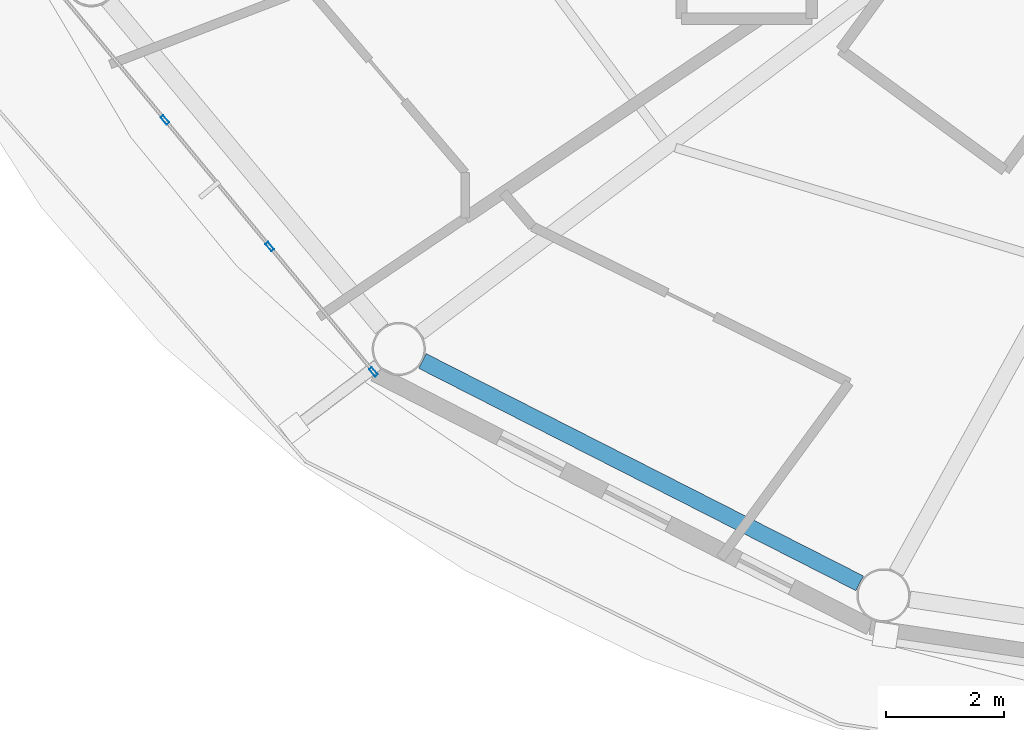
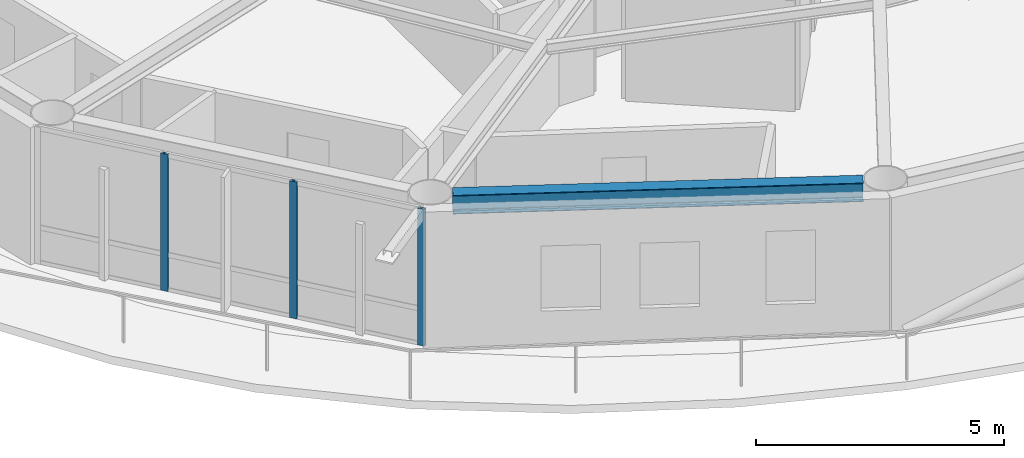
# One storey, part 2 of 22: 3 members, 1 beam, 1 element without a shape of its own.
"""IFC4 building model written with IfcOpenShell, lengths in metres."""

from ifc_helpers import new_model, si_unit, direction, frame, origin, origin_2d, place, context, subcontext, project, spatial, hollow_rectangle, i_section, extrude, material, layer, layer_set, material_profile, profile_set, type_object, element, aggregate, save


model = new_model("IFC4")

# Units and contexts
model_context = context("Model", 3, precision=1e-05, world=origin(), true_north=direction((0.0, 1.0)))
body_context = subcontext(model_context, "Body", "Model", "MODEL_VIEW")
ifc_project = project(units=[si_unit("LENGTHUNIT", "METRE"), si_unit("AREAUNIT", "SQUARE_METRE"), si_unit("VOLUMEUNIT", "CUBIC_METRE"), si_unit("PLANEANGLEUNIT", "RADIAN"), si_unit("MASSUNIT", "GRAM", prefix="KILO")], contexts=[model_context])

# Site, building, storey
site_placement = place(None, origin())
site = spatial("IfcSite", under=ifc_project, at=site_placement, CompositionType="ELEMENT")
building_placement = place(site_placement, origin())
building = spatial("IfcBuilding", under=site, at=building_placement, Name="Sarneth Arch Tower", CompositionType="ELEMENT")
storey_placement = place(building_placement, frame((0.0, 0.0, 294.60009765625)))
storey = spatial("IfcBuildingStorey", under=building, at=storey_placement, Name="L76", CompositionType="ELEMENT", Elevation=294.60009765625)

# Beam
ifc_material_1 = material(Name="Steel S355", Category="steel")
ifc_material_profile_1 = material_profile(ifc_material_1, i_section(OverallWidth=0.280029296875, OverallDepth=0.462890625, WebThickness=0.0107421875, FlangeThickness=0.017333984375, FilletRadius=0.01806640625, at=origin_2d()), Name="W460x113")
ifc_profile_set_1 = profile_set([ifc_material_profile_1], Name="Steel S355")
beam_type = type_object("IfcBeamType", Name="BM-RAD-460A", PredefinedType="BEAM", material=ifc_profile_set_1)
beam_placement = place(storey_placement, frame((30.42578125, 28.219482421875, 3.138427734375), z_axis=(0.891376248079, -0.453264144138, 0.0), x_axis=(0.453264144138, 0.891376248079, 0.0)))
element("IfcBeam", 1, at=beam_placement, inside=storey, type_object=beam_type, Name="L76 Perimeter spandrel beam 11", PredefinedType="BEAM", context=body_context, shape_type="SweptSolid", body=[
    extrude(i_section(OverallWidth=0.280029296875, OverallDepth=0.462890625, WebThickness=0.0107421875, FlangeThickness=0.017333984375, FilletRadius=0.01806640625, at=origin_2d()), origin(), (0.0, 0.0, 1.0), 8.281982421875),
])

# Curtain wall, members
ifc_material_2 = material(Name="Anodised aluminium Type AA25 and solar-control low-e laminated IGU", Category="aluminium")
ifc_layer = layer(ifc_material_2, 0.179931640625)
ifc_layer_set = layer_set([ifc_layer], Name="Anodised aluminium Type AA25 and solar-control low-e laminated IGU")
curtain_wall_type = type_object("IfcCurtainWallType", Name="CW-RES-HIGH", PredefinedType="NOTDEFINED", material=ifc_layer_set)
curtain_wall_placement = place(storey_placement, origin())
curtain_wall = element("IfcCurtainWall", 2, at=curtain_wall_placement, inside=storey, type_object=curtain_wall_type, Name="L76 Unitised curtain wall facet 10", PredefinedType="NOTDEFINED")
ifc_material_3 = material(Name="Anodised Aluminium 6063-T6", Category="aluminium")
ifc_material_profile_2 = material_profile(ifc_material_3, hollow_rectangle(XDim=0.06005859375, YDim=0.159912109375, WallThickness=0.00390625, at=origin_2d()), Name="AL-MULL-160x60x4")
ifc_profile_set_2 = profile_set([ifc_material_profile_2], Name="Anodised Aluminium 6063-T6")
member_type = type_object("IfcMemberType", Name="CW-MULLION", PredefinedType="MULLION", material=ifc_profile_set_2)
member_1_placement = place(storey_placement, frame((26.07666015625, 32.29150390625, 0.0), z_axis=(0.0, 0.0, 1.0), x_axis=(0.770359245933, 0.637610094184, 0.0)))
member_1 = element("IfcMember", 3, at=member_1_placement, type_object=member_type, Name="CW-SYS-6 mullion 2", PredefinedType="MULLION", context=body_context, shape_type="SweptSolid", body=[
    extrude(hollow_rectangle(XDim=0.06005859375, YDim=0.159912109375, WallThickness=0.00390625, at=origin_2d()), origin(), (0.0, 0.0, 1.0), 3.369873046875),
])
member_2_placement = place(storey_placement, frame((27.84716796875, 30.15234375, 0.0), z_axis=(0.0, 0.0, 1.0), x_axis=(0.770359245933, 0.637610094184, 0.0)))
member_2 = element("IfcMember", 4, at=member_2_placement, type_object=member_type, Name="CW-SYS-6 mullion 3", PredefinedType="MULLION", context=body_context, shape_type="SweptSolid", body=[
    extrude(hollow_rectangle(XDim=0.06005859375, YDim=0.159912109375, WallThickness=0.00390625, at=origin_2d()), origin(), (0.0, 0.0, 1.0), 3.369873046875),
])
member_3_placement = place(storey_placement, frame((29.598388671875, 28.03662109375, 0.0), z_axis=(0.0, 0.0, 1.0), x_axis=(0.770359245933, 0.637610094184, 0.0)))
member_3 = element("IfcMember", 5, at=member_3_placement, type_object=member_type, Name="CW-SYS-6 mullion 4", PredefinedType="MULLION", context=body_context, shape_type="SweptSolid", body=[
    extrude(hollow_rectangle(XDim=0.06005859375, YDim=0.159912109375, WallThickness=0.00390625, at=origin_2d()), origin(), (0.0, 0.0, 1.0), 3.369873046875),
])
aggregate(curtain_wall, [member_1, member_2, member_3])

save(model, "model.ifc")
